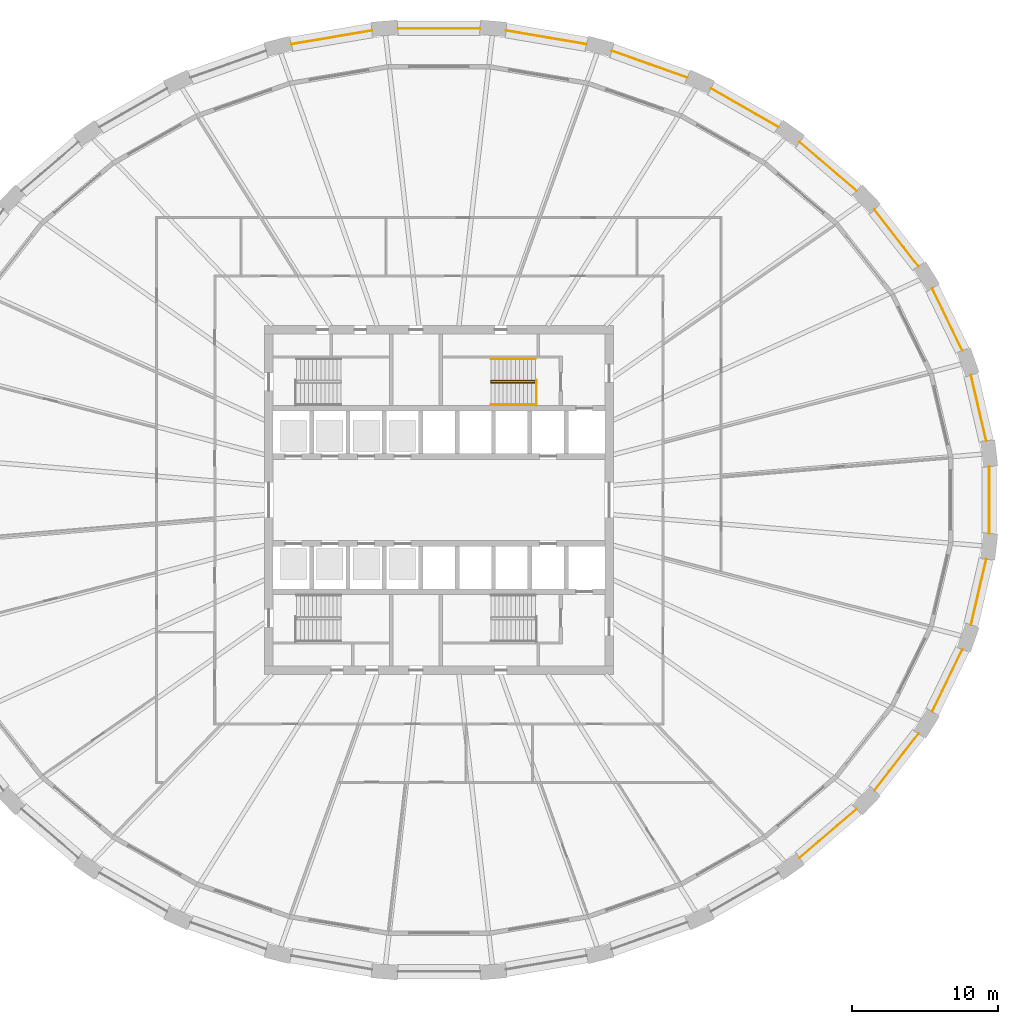
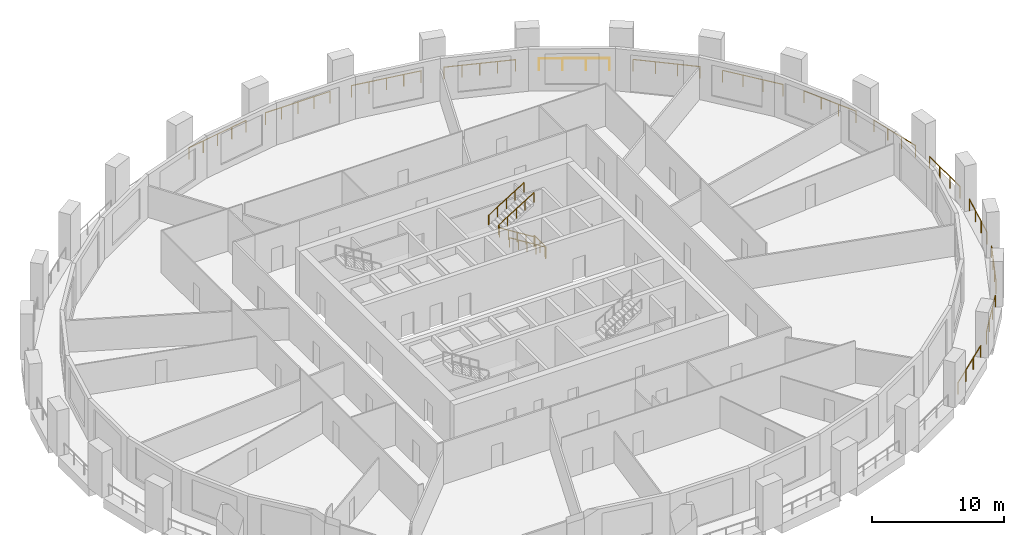
# One storey, part 11 of 12: 18 railings.
"""IFC4 building model written with IfcOpenShell, lengths in metres."""

from ifc_helpers import new_model, si_unit, direction, frame, origin, origin_2d, place, context, subcontext, project, spatial, circle, extrude, material, type_object, element, save


model = new_model("IFC4")

# Units and contexts
model_context = context("Model", 3, precision=1e-05, world=origin(), true_north=direction((0.0, 1.0)))
body_context = subcontext(model_context, "Body", "Model", "MODEL_VIEW")
ifc_project = project(units=[si_unit("LENGTHUNIT", "METRE"), si_unit("AREAUNIT", "SQUARE_METRE"), si_unit("VOLUMEUNIT", "CUBIC_METRE"), si_unit("PLANEANGLEUNIT", "RADIAN"), si_unit("MASSUNIT", "GRAM", prefix="KILO")], contexts=[model_context])

# Site, building, storey
site_placement = place(None, origin())
site = spatial("IfcSite", under=ifc_project, at=site_placement, CompositionType="ELEMENT")
building_placement = place(site_placement, origin())
building = spatial("IfcBuilding", under=site, at=building_placement, Name="Halqa Exchange Tower", CompositionType="ELEMENT")
storey_placement = place(building_placement, frame((0.0, 0.0, 27.699951171875)))
storey = spatial("IfcBuildingStorey", under=building, at=storey_placement, Name="L05", CompositionType="ELEMENT", Elevation=27.699951171875)

# Railings
ifc_material = material(Name="Stainless steel", Category="steel")
railing_type_1 = type_object("IfcRailingType", Name="Guard 1100 stainless steel", PredefinedType="GUARDRAIL", material=ifc_material)
railing_1_placement = place(storey_placement, frame((37.613525390625, 4.0693359375, 0.0)))
element("IfcRailing", 1, at=railing_1_placement, inside=storey, type_object=railing_type_1, Name="Loggia guard 1", PredefinedType="GUARDRAIL", context=body_context, shape_type="SweptSolid", body=[
    extrude(circle(Radius=0.02392578125, at=origin_2d()), frame((0.0, 0.0, 1.076171875), z_axis=(-0.22605731834, 0.974114001965, 0.0), x_axis=(-0.974114001965, -0.22605731834, 0.0)), (0.0, 0.0, 1.0), 4.62890625),
    extrude(circle(Radius=0.02099609375, at=origin_2d()), origin(), (0.0, 0.0, 1.0), 1.052001953125),
    extrude(circle(Radius=0.02099609375, at=origin_2d()), frame((-0.348876953125, 1.5029296875, 0.0)), (0.0, 0.0, 1.0), 1.052001953125),
    extrude(circle(Radius=0.02099609375, at=origin_2d()), frame((-0.697509765625, 3.006103515625, 0.0)), (0.0, 0.0, 1.0), 1.052001953125),
    extrude(circle(Radius=0.02099609375, at=origin_2d()), frame((-1.04638671875, 4.509033203125, 0.0)), (0.0, 0.0, 1.0), 1.052001953125),
])
railing_2_placement = place(storey_placement, frame((35.97216796875, 10.265380859375, 0.0)))
element("IfcRailing", 2, at=railing_2_placement, inside=storey, type_object=railing_type_1, Name="Loggia guard 2", PredefinedType="GUARDRAIL", context=body_context, shape_type="SweptSolid", body=[
    extrude(circle(Radius=0.02392578125, at=origin_2d()), frame((0.0, 0.0, 1.076171875), z_axis=(-0.435129787392, 0.900367740495, 0.0), x_axis=(-0.900367740495, -0.435129787392, 0.0)), (0.0, 0.0, 1.0), 4.751708984375),
    extrude(circle(Radius=0.02099609375, at=origin_2d()), origin(), (0.0, 0.0, 1.0), 1.052001953125),
    extrude(circle(Radius=0.02099609375, at=origin_2d()), frame((-0.689208984375, 1.426025390625, 0.0)), (0.0, 0.0, 1.0), 1.052001953125),
    extrude(circle(Radius=0.02099609375, at=origin_2d()), frame((-1.37841796875, 2.852294921875, 0.0)), (0.0, 0.0, 1.0), 1.052001953125),
    extrude(circle(Radius=0.02099609375, at=origin_2d()), frame((-2.067626953125, 4.2783203125, 0.0)), (0.0, 0.0, 1.0), 1.052001953125),
])
railing_3_placement = place(storey_placement, frame((32.959716796875, 16.06396484375, 0.0)))
element("IfcRailing", 3, at=railing_3_placement, inside=storey, type_object=railing_type_1, Name="Loggia guard 3", PredefinedType="GUARDRAIL", context=body_context, shape_type="SweptSolid", body=[
    extrude(circle(Radius=0.02392578125, at=origin_2d()), frame((0.0, 0.0, 1.076171875), z_axis=(-0.614810778124, 0.78867465225, 0.0), x_axis=(-0.78867465225, -0.614810778124, 0.0)), (0.0, 0.0, 1.0), 4.931640625),
    extrude(circle(Radius=0.02099609375, at=origin_2d()), origin(), (0.0, 0.0, 1.0), 1.052001953125),
    extrude(circle(Radius=0.02099609375, at=origin_2d()), frame((-1.0107421875, 1.29638671875, 0.0)), (0.0, 0.0, 1.0), 1.052001953125),
    extrude(circle(Radius=0.02099609375, at=origin_2d()), frame((-2.021240234375, 2.593017578125, 0.0)), (0.0, 0.0, 1.0), 1.052001953125),
    extrude(circle(Radius=0.02099609375, at=origin_2d()), frame((-3.031982421875, 3.889404296875, 0.0)), (0.0, 0.0, 1.0), 1.052001953125),
])
railing_4_placement = place(storey_placement, frame((28.691162109375, 21.248779296875, 0.0)))
element("IfcRailing", 4, at=railing_4_placement, inside=storey, type_object=railing_type_1, Name="Loggia guard 4", PredefinedType="GUARDRAIL", context=body_context, shape_type="SweptSolid", body=[
    extrude(circle(Radius=0.02392578125, at=origin_2d()), frame((0.0, 0.0, 1.076171875), z_axis=(-0.759266665229, 0.650779633265, 0.0), x_axis=(-0.650779633265, -0.759266665229, 0.0)), (0.0, 0.0, 1.0), 5.1376953125),
    extrude(circle(Radius=0.02099609375, at=origin_2d()), origin(), (0.0, 0.0, 1.0), 1.052001953125),
    extrude(circle(Radius=0.02099609375, at=origin_2d()), frame((-1.30029296875, 1.114501953125, 0.0)), (0.0, 0.0, 1.0), 1.052001953125),
    extrude(circle(Radius=0.02099609375, at=origin_2d()), frame((-2.6005859375, 2.22900390625, 0.0)), (0.0, 0.0, 1.0), 1.052001953125),
    extrude(circle(Radius=0.02099609375, at=origin_2d()), frame((-3.90087890625, 3.343505859375, 0.0)), (0.0, 0.0, 1.0), 1.052001953125),
])
railing_5_placement = place(storey_placement, frame((23.325927734375, 25.625244140625, 0.0)))
element("IfcRailing", 5, at=railing_5_placement, inside=storey, type_object=railing_type_1, Name="Loggia guard 5", PredefinedType="GUARDRAIL", context=body_context, shape_type="SweptSolid", body=[
    extrude(circle(Radius=0.02392578125, at=origin_2d()), frame((0.0, 0.0, 1.076171875), z_axis=(-0.867752964109, 0.496995767869, 0.0), x_axis=(-0.496995767869, -0.867752964109, 0.0)), (0.0, 0.0, 1.0), 5.337646484375),
    extrude(circle(Radius=0.02099609375, at=origin_2d()), origin(), (0.0, 0.0, 1.0), 1.052001953125),
    extrude(circle(Radius=0.02099609375, at=origin_2d()), frame((-1.5439453125, 0.88427734375, 0.0)), (0.0, 0.0, 1.0), 1.052001953125),
    extrude(circle(Radius=0.02099609375, at=origin_2d()), frame((-3.087890625, 1.7685546875, 0.0)), (0.0, 0.0, 1.0), 1.052001953125),
    extrude(circle(Radius=0.02099609375, at=origin_2d()), frame((-4.6318359375, 2.65283203125, 0.0)), (0.0, 0.0, 1.0), 1.052001953125),
])
railing_6_placement = place(storey_placement, frame((17.06494140625, 29.026611328125, 0.0)))
element("IfcRailing", 6, at=railing_6_placement, inside=storey, type_object=railing_type_1, Name="Loggia guard 6", PredefinedType="GUARDRAIL", context=body_context, shape_type="SweptSolid", body=[
    extrude(circle(Radius=0.02392578125, at=origin_2d()), frame((0.0, 0.0, 1.076171875), z_axis=(-0.942364586874, 0.334587784305, 0.0), x_axis=(-0.334587784305, -0.942364586874, 0.0)), (0.0, 0.0, 1.0), 5.503173828125),
    extrude(circle(Radius=0.02099609375, at=origin_2d()), origin(), (0.0, 0.0, 1.0), 1.052001953125),
    extrude(circle(Radius=0.02099609375, at=origin_2d()), frame((-1.29638671875, 0.46044921875, 0.0)), (0.0, 0.0, 1.0), 1.052001953125),
    extrude(circle(Radius=0.02099609375, at=origin_2d()), frame((-2.593017578125, 0.920654296875, 0.0)), (0.0, 0.0, 1.0), 1.052001953125),
    extrude(circle(Radius=0.02099609375, at=origin_2d()), frame((-3.8896484375, 1.380859375, 0.0)), (0.0, 0.0, 1.0), 1.052001953125),
    extrude(circle(Radius=0.02099609375, at=origin_2d()), frame((-5.18603515625, 1.84130859375, 0.0)), (0.0, 0.0, 1.0), 1.052001953125),
])
railing_7_placement = place(storey_placement, frame((10.1435546875, 31.3203125, 0.0)))
element("IfcRailing", 7, at=railing_7_placement, inside=storey, type_object=railing_type_1, Name="Loggia guard 7", PredefinedType="GUARDRAIL", context=body_context, shape_type="SweptSolid", body=[
    extrude(circle(Radius=0.02392578125, at=origin_2d()), frame((0.0, 0.0, 1.076171875), z_axis=(-0.985782862514, 0.16802424817, 0.0), x_axis=(-0.16802424817, -0.985782862514, 0.0)), (0.0, 0.0, 1.0), 5.611572265625),
    extrude(circle(Radius=0.02099609375, at=origin_2d()), origin(), (0.0, 0.0, 1.0), 1.052001953125),
    extrude(circle(Radius=0.02099609375, at=origin_2d()), frame((-1.3828125, 0.23583984375, 0.0)), (0.0, 0.0, 1.0), 1.052001953125),
    extrude(circle(Radius=0.02099609375, at=origin_2d()), frame((-2.765869140625, 0.471435546875, 0.0)), (0.0, 0.0, 1.0), 1.052001953125),
    extrude(circle(Radius=0.02099609375, at=origin_2d()), frame((-4.14892578125, 0.70703125, 0.0)), (0.0, 0.0, 1.0), 1.052001953125),
    extrude(circle(Radius=0.02099609375, at=origin_2d()), frame((-5.53173828125, 0.94287109375, 0.0)), (0.0, 0.0, 1.0), 1.052001953125),
])
railing_8_placement = place(storey_placement, frame((2.82470703125, 32.41455078125, 0.0)))
element("IfcRailing", 8, at=railing_8_placement, inside=storey, type_object=railing_type_1, Name="Loggia guard 8", PredefinedType="GUARDRAIL", context=body_context, shape_type="SweptSolid", body=[
    extrude(circle(Radius=0.02392578125, at=origin_2d()), frame((0.0, 0.0, 1.076171875), z_axis=(-1.0, 0.0, 0.0), x_axis=(0.0, -1.0, 0.0)), (0.0, 0.0, 1.0), 5.6494140625),
    extrude(circle(Radius=0.02099609375, at=origin_2d()), origin(), (0.0, 0.0, 1.0), 1.052001953125),
    extrude(circle(Radius=0.02099609375, at=origin_2d()), frame((-1.412353515625, 0.0, 0.0)), (0.0, 0.0, 1.0), 1.052001953125),
    extrude(circle(Radius=0.02099609375, at=origin_2d()), frame((-2.82470703125, 0.0, 0.0)), (0.0, 0.0, 1.0), 1.052001953125),
    extrude(circle(Radius=0.02099609375, at=origin_2d()), frame((-4.237060546875, 0.0, 0.0)), (0.0, 0.0, 1.0), 1.052001953125),
    extrude(circle(Radius=0.02099609375, at=origin_2d()), frame((-5.6494140625, 0.0, 0.0)), (0.0, 0.0, 1.0), 1.052001953125),
])
railing_9_placement = place(storey_placement, frame((-4.61181640625, 32.26318359375, 0.0)))
element("IfcRailing", 9, at=railing_9_placement, inside=storey, type_object=railing_type_1, Name="Loggia guard 9", PredefinedType="GUARDRAIL", context=body_context, shape_type="SweptSolid", body=[
    extrude(circle(Radius=0.02392578125, at=origin_2d()), frame((0.0, 0.0, 1.076171875), z_axis=(-0.985782862514, -0.16802424817, 0.0), x_axis=(0.16802424817, -0.985782862514, 0.0)), (0.0, 0.0, 1.0), 5.611572265625),
    extrude(circle(Radius=0.02099609375, at=origin_2d()), origin(), (0.0, 0.0, 1.0), 1.052001953125),
    extrude(circle(Radius=0.02099609375, at=origin_2d()), frame((-1.3828125, -0.23583984375, 0.0)), (0.0, 0.0, 1.0), 1.052001953125),
    extrude(circle(Radius=0.02099609375, at=origin_2d()), frame((-2.765869140625, -0.471435546875, 0.0)), (0.0, 0.0, 1.0), 1.052001953125),
    extrude(circle(Radius=0.02099609375, at=origin_2d()), frame((-4.14892578125, -0.70703125, 0.0)), (0.0, 0.0, 1.0), 1.052001953125),
    extrude(circle(Radius=0.02099609375, at=origin_2d()), frame((-5.53173828125, -0.94287109375, 0.0)), (0.0, 0.0, 1.0), 1.052001953125),
])
railing_10_placement = place(storey_placement, frame((24.790283203125, -24.59228515625, 0.0)))
element("IfcRailing", 10, at=railing_10_placement, inside=storey, type_object=railing_type_1, Name="Loggia guard 28", PredefinedType="GUARDRAIL", context=body_context, shape_type="SweptSolid", body=[
    extrude(circle(Radius=0.02392578125, at=origin_2d()), frame((0.0, 0.0, 1.076171875), z_axis=(0.759266665229, 0.650779633265, 0.0), x_axis=(-0.650779633265, 0.759266665229, 0.0)), (0.0, 0.0, 1.0), 5.1376953125),
    extrude(circle(Radius=0.02099609375, at=origin_2d()), origin(), (0.0, 0.0, 1.0), 1.052001953125),
    extrude(circle(Radius=0.02099609375, at=origin_2d()), frame((1.30029296875, 1.114501953125, 0.0)), (0.0, 0.0, 1.0), 1.052001953125),
    extrude(circle(Radius=0.02099609375, at=origin_2d()), frame((2.6005859375, 2.22900390625, 0.0)), (0.0, 0.0, 1.0), 1.052001953125),
    extrude(circle(Radius=0.02099609375, at=origin_2d()), frame((3.90087890625, 3.343505859375, 0.0)), (0.0, 0.0, 1.0), 1.052001953125),
])
railing_11_placement = place(storey_placement, frame((29.927734375, -19.953369140625, 0.0)))
element("IfcRailing", 11, at=railing_11_placement, inside=storey, type_object=railing_type_1, Name="Loggia guard 29", PredefinedType="GUARDRAIL", context=body_context, shape_type="SweptSolid", body=[
    extrude(circle(Radius=0.02392578125, at=origin_2d()), frame((0.0, 0.0, 1.076171875), z_axis=(0.614810778124, 0.78867465225, 0.0), x_axis=(-0.78867465225, 0.614810778124, 0.0)), (0.0, 0.0, 1.0), 4.931640625),
    extrude(circle(Radius=0.02099609375, at=origin_2d()), origin(), (0.0, 0.0, 1.0), 1.052001953125),
    extrude(circle(Radius=0.02099609375, at=origin_2d()), frame((1.0107421875, 1.29638671875, 0.0)), (0.0, 0.0, 1.0), 1.052001953125),
    extrude(circle(Radius=0.02099609375, at=origin_2d()), frame((2.021240234375, 2.593017578125, 0.0)), (0.0, 0.0, 1.0), 1.052001953125),
    extrude(circle(Radius=0.02099609375, at=origin_2d()), frame((3.031982421875, 3.889404296875, 0.0)), (0.0, 0.0, 1.0), 1.052001953125),
])
railing_12_placement = place(storey_placement, frame((33.904541015625, -14.543701171875, 0.0)))
element("IfcRailing", 12, at=railing_12_placement, inside=storey, type_object=railing_type_1, Name="Loggia guard 30", PredefinedType="GUARDRAIL", context=body_context, shape_type="SweptSolid", body=[
    extrude(circle(Radius=0.02392578125, at=origin_2d()), frame((0.0, 0.0, 1.076171875), z_axis=(0.435129787392, 0.900367740495, 0.0), x_axis=(-0.900367740495, 0.435129787392, 0.0)), (0.0, 0.0, 1.0), 4.751708984375),
    extrude(circle(Radius=0.02099609375, at=origin_2d()), origin(), (0.0, 0.0, 1.0), 1.052001953125),
    extrude(circle(Radius=0.02099609375, at=origin_2d()), frame((0.689208984375, 1.426025390625, 0.0)), (0.0, 0.0, 1.0), 1.052001953125),
    extrude(circle(Radius=0.02099609375, at=origin_2d()), frame((1.37841796875, 2.852294921875, 0.0)), (0.0, 0.0, 1.0), 1.052001953125),
    extrude(circle(Radius=0.02099609375, at=origin_2d()), frame((2.067626953125, 4.2783203125, 0.0)), (0.0, 0.0, 1.0), 1.052001953125),
])
railing_13_placement = place(storey_placement, frame((36.567138671875, -8.578369140625, 0.0)))
element("IfcRailing", 13, at=railing_13_placement, inside=storey, type_object=railing_type_1, Name="Loggia guard 31", PredefinedType="GUARDRAIL", context=body_context, shape_type="SweptSolid", body=[
    extrude(circle(Radius=0.02392578125, at=origin_2d()), frame((0.0, 0.0, 1.076171875), z_axis=(0.22605731834, 0.974114001965, 0.0), x_axis=(-0.974114001965, 0.22605731834, 0.0)), (0.0, 0.0, 1.0), 4.62890625),
    extrude(circle(Radius=0.02099609375, at=origin_2d()), origin(), (0.0, 0.0, 1.0), 1.052001953125),
    extrude(circle(Radius=0.02099609375, at=origin_2d()), frame((0.348876953125, 1.5029296875, 0.0)), (0.0, 0.0, 1.0), 1.052001953125),
    extrude(circle(Radius=0.02099609375, at=origin_2d()), frame((0.697509765625, 3.006103515625, 0.0)), (0.0, 0.0, 1.0), 1.052001953125),
    extrude(circle(Radius=0.02099609375, at=origin_2d()), frame((1.04638671875, 4.509033203125, 0.0)), (0.0, 0.0, 1.0), 1.052001953125),
])
railing_14_placement = place(storey_placement, frame((37.81689453125, -2.29248046875, 0.0)))
element("IfcRailing", 14, at=railing_14_placement, inside=storey, type_object=railing_type_1, Name="Loggia guard 32", PredefinedType="GUARDRAIL", context=body_context, shape_type="SweptSolid", body=[
    extrude(circle(Radius=0.02392578125, at=origin_2d()), frame((0.0, 0.0, 1.076171875), z_axis=(0.0, 1.0, 0.0), x_axis=(-1.0, 0.0, 0.0)), (0.0, 0.0, 1.0), 4.5849609375),
    extrude(circle(Radius=0.02099609375, at=origin_2d()), origin(), (0.0, 0.0, 1.0), 1.052001953125),
    extrude(circle(Radius=0.02099609375, at=origin_2d()), frame((0.0, 1.5283203125, 0.0)), (0.0, 0.0, 1.0), 1.052001953125),
    extrude(circle(Radius=0.02099609375, at=origin_2d()), frame((0.0, 3.056640625, 0.0)), (0.0, 0.0, 1.0), 1.052001953125),
    extrude(circle(Radius=0.02099609375, at=origin_2d()), frame((0.0, 4.5849609375, 0.0)), (0.0, 0.0, 1.0), 1.052001953125),
])
railing_type_2 = type_object("IfcRailingType", Name="Stair handrail 900", PredefinedType="HANDRAIL", material=ifc_material)
railing_15_placement = place(storey_placement, frame((6.64990234375, 8.06005859375, 0.175048828125)))
element("IfcRailing", 15, at=railing_15_placement, inside=storey, type_object=railing_type_2, Name="Handrail ST2.1", PredefinedType="HANDRAIL", context=body_context, shape_type="SweptSolid", body=[
    extrude(circle(Radius=0.02392578125, at=origin_2d()), frame((0.0, 0.0, 0.8759765625), z_axis=(-0.847979421464, 0.0, 0.530029150871), x_axis=(0.0, -1.0, 0.0)), (0.0, 0.0, 1.0), 3.632080078125),
    extrude(circle(Radius=0.02392578125, at=origin_2d()), frame((-3.079833984375, 0.0, 2.80078125), z_axis=(0.0, 0.595870227118, 0.803080738428), x_axis=(-1.0, 0.0, 0.0)), (0.0, 0.0, 1.0), 0.218017578125),
    extrude(circle(Radius=0.02392578125, at=origin_2d()), frame((-3.079833984375, 0.1298828125, 2.97607421875), z_axis=(0.848009633417, 0.0, 0.529980812513), x_axis=(0.0, 1.0, 0.0)), (0.0, 0.0, 1.0), 3.6318359375),
    extrude(circle(Radius=0.02099609375, at=origin_2d()), origin(), (0.0, 0.0, 1.0), 0.851806640625),
    extrude(circle(Radius=0.02099609375, at=origin_2d()), frame((-0.77001953125, 0.0, 0.481201171875)), (0.0, 0.0, 1.0), 0.851806640625),
    extrude(circle(Radius=0.02099609375, at=origin_2d()), frame((-1.5400390625, 0.0, 0.96240234375)), (0.0, 0.0, 1.0), 0.851806640625),
    extrude(circle(Radius=0.02099609375, at=origin_2d()), frame((-2.309814453125, 0.0, 1.44384765625)), (0.0, 0.0, 1.0), 0.851806640625),
    extrude(circle(Radius=0.02099609375, at=origin_2d()), frame((-3.079833984375, 0.0, 1.925048828125)), (0.0, 0.0, 1.0), 0.851806640625),
    extrude(circle(Radius=0.02099609375, at=origin_2d()), frame((-3.079833984375, 0.1298828125, 2.10009765625)), (0.0, 0.0, 1.0), 0.851806640625),
    extrude(circle(Radius=0.02099609375, at=origin_2d()), frame((-2.309814453125, 0.1298828125, 2.581298828125)), (0.0, 0.0, 1.0), 0.851806640625),
    extrude(circle(Radius=0.02099609375, at=origin_2d()), frame((-1.5400390625, 0.1298828125, 3.0625)), (0.0, 0.0, 1.0), 0.851806640625),
    extrude(circle(Radius=0.02099609375, at=origin_2d()), frame((-0.77001953125, 0.1298828125, 3.543701171875)), (0.0, 0.0, 1.0), 0.851806640625),
    extrude(circle(Radius=0.02099609375, at=origin_2d()), frame((0.0, 0.1298828125, 4.02490234375)), (0.0, 0.0, 1.0), 0.851806640625),
])
railing_16_placement = place(storey_placement, frame((6.64990234375, 6.550048828125, 0.175048828125)))
element("IfcRailing", 16, at=railing_16_placement, inside=storey, type_object=railing_type_2, Name="Handrail ST2.2", PredefinedType="HANDRAIL", context=body_context, shape_type="SweptSolid", body=[
    extrude(circle(Radius=0.02392578125, at=origin_2d()), frame((0.0, 0.0, 0.8759765625), z_axis=(-0.847979421464, 0.0, 0.530029150871), x_axis=(0.0, -1.0, 0.0)), (0.0, 0.0, 1.0), 3.632080078125),
    extrude(circle(Radius=0.02099609375, at=origin_2d()), origin(), (0.0, 0.0, 1.0), 0.851806640625),
    extrude(circle(Radius=0.02099609375, at=origin_2d()), frame((-0.77001953125, 0.0, 0.481201171875)), (0.0, 0.0, 1.0), 0.851806640625),
    extrude(circle(Radius=0.02099609375, at=origin_2d()), frame((-1.5400390625, 0.0, 0.96240234375)), (0.0, 0.0, 1.0), 0.851806640625),
    extrude(circle(Radius=0.02099609375, at=origin_2d()), frame((-2.309814453125, 0.0, 1.44384765625)), (0.0, 0.0, 1.0), 0.851806640625),
    extrude(circle(Radius=0.02099609375, at=origin_2d()), frame((-3.079833984375, 0.0, 1.925048828125)), (0.0, 0.0, 1.0), 0.851806640625),
])
railing_17_placement = place(storey_placement, frame((3.570068359375, 9.699951171875, 2.275146484375)))
element("IfcRailing", 17, at=railing_17_placement, inside=storey, type_object=railing_type_2, Name="Handrail ST2.3", PredefinedType="HANDRAIL", context=body_context, shape_type="SweptSolid", body=[
    extrude(circle(Radius=0.02392578125, at=origin_2d()), frame((0.0, 0.0, 0.8759765625), z_axis=(0.848009633417, 0.0, 0.529980812513), x_axis=(0.0, 1.0, 0.0)), (0.0, 0.0, 1.0), 3.6318359375),
    extrude(circle(Radius=0.02099609375, at=origin_2d()), origin(), (0.0, 0.0, 1.0), 0.851806640625),
    extrude(circle(Radius=0.02099609375, at=origin_2d()), frame((0.77001953125, 0.0, 0.481201171875)), (0.0, 0.0, 1.0), 0.851806640625),
    extrude(circle(Radius=0.02099609375, at=origin_2d()), frame((1.5400390625, 0.0, 0.96240234375)), (0.0, 0.0, 1.0), 0.851806640625),
    extrude(circle(Radius=0.02099609375, at=origin_2d()), frame((2.309814453125, 0.0, 1.443603515625)), (0.0, 0.0, 1.0), 0.851806640625),
    extrude(circle(Radius=0.02099609375, at=origin_2d()), frame((3.079833984375, 0.0, 1.9248046875)), (0.0, 0.0, 1.0), 0.851806640625),
])
railing_type_3 = type_object("IfcRailingType", Name="Stair well guard 1100", PredefinedType="GUARDRAIL", material=ifc_material)
railing_18_placement = place(storey_placement, frame((6.699951171875, 6.5, 0.0)))
element("IfcRailing", 18, at=railing_18_placement, inside=storey, type_object=railing_type_3, Name="Guard ST2 well", PredefinedType="GUARDRAIL", context=body_context, shape_type="SweptSolid", body=[
    extrude(circle(Radius=0.02392578125, at=origin_2d()), frame((0.0, 0.0, 1.076171875), z_axis=(0.0, 1.0, 0.0), x_axis=(-1.0, 0.0, 0.0)), (0.0, 0.0, 1.0), 1.75),
    extrude(circle(Radius=0.02099609375, at=origin_2d()), origin(), (0.0, 0.0, 1.0), 1.052001953125),
    extrude(circle(Radius=0.02099609375, at=origin_2d()), frame((0.0, 0.875, 0.0)), (0.0, 0.0, 1.0), 1.052001953125),
    extrude(circle(Radius=0.02099609375, at=origin_2d()), frame((0.0, 1.75, 0.0)), (0.0, 0.0, 1.0), 1.052001953125),
])

save(model, "model.ifc")
